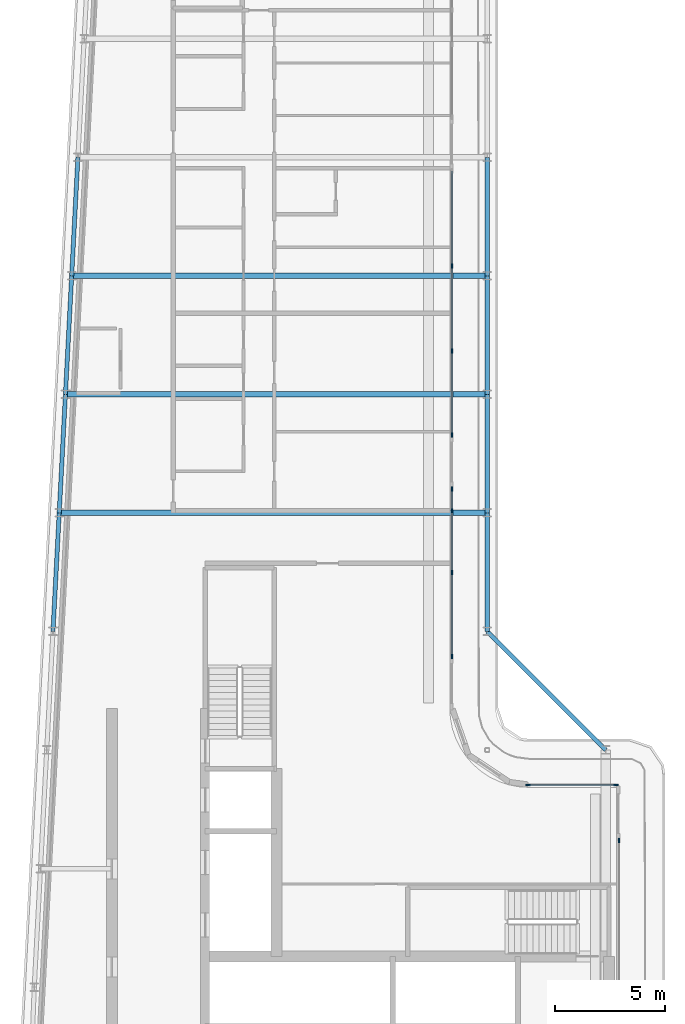
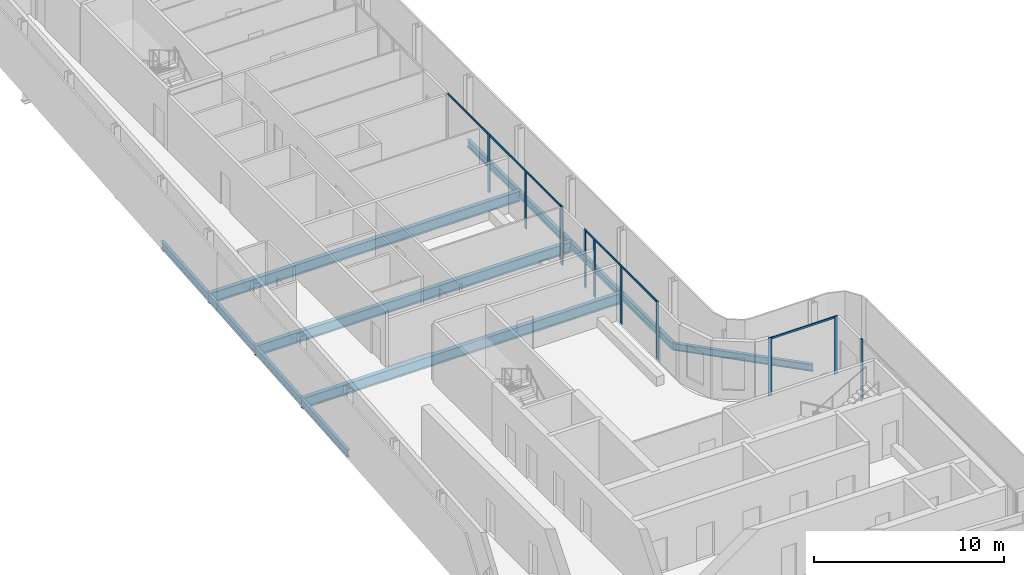
# One storey, part 5 of 18: 14 members, 12 beams, 5 elements without a shape of their own.
"""IFC4 building model written with IfcOpenShell, lengths in metres."""

from ifc_helpers import new_model, si_unit, direction, frame, origin, origin_2d, place, context, subcontext, project, spatial, rectangle, i_section, extrude, material, layer, layer_set, material_profile, profile_set, type_object, element, aggregate, save


model = new_model("IFC4")

# Units and contexts
model_context = context("Model", 3, precision=1e-05, world=origin(), true_north=direction((0.0, 1.0)))
body_context = subcontext(model_context, "Body", "Model", "MODEL_VIEW")
ifc_project = project(units=[si_unit("LENGTHUNIT", "METRE"), si_unit("AREAUNIT", "SQUARE_METRE"), si_unit("VOLUMEUNIT", "CUBIC_METRE"), si_unit("PLANEANGLEUNIT", "RADIAN"), si_unit("MASSUNIT", "GRAM", prefix="KILO")], contexts=[model_context])

# Site, building, storey
site_placement = place(None, origin())
site = spatial("IfcSite", under=ifc_project, at=site_placement, CompositionType="ELEMENT")
building_placement = place(site_placement, origin())
building = spatial("IfcBuilding", under=site, at=building_placement, Name="Kheshtan School and Residences Tower", CompositionType="ELEMENT")
storey_placement = place(building_placement, frame((0.0, 0.0, 365.60009765625)))
storey = spatial("IfcBuildingStorey", under=building, at=storey_placement, Name="L86", CompositionType="ELEMENT", Elevation=365.60009765625)

# Beams
ifc_material_1 = material(Name="Steel ASTM A992 Grade 50", Category="steel")
ifc_material_profile_1 = material_profile(ifc_material_1, i_section(OverallWidth=0.2529296875, OverallDepth=0.677978515625, WebThickness=0.01171875, FlangeThickness=0.016357421875, FilletRadius=0.0146484375, at=origin_2d()), Name="W690x125")
ifc_profile_set_1 = profile_set([ifc_material_profile_1], Name="Steel ASTM A992 Grade 50")
beam_type_1 = type_object("IfcBeamType", Name="Beam FB6 W690x125 ASTM A992 Grade 50", PredefinedType="BEAM", material=ifc_profile_set_1)
beam_1_placement = place(storey_placement, frame((47.60009765625, 67.199951171875, -0.489013671875), z_axis=(-1.0, 0.0, 0.0), x_axis=(0.0, -1.0, 0.0)))
element("IfcBeam", 1, at=beam_1_placement, inside=storey, type_object=beam_type_1, Name="Floor beam C085", PredefinedType="BEAM", context=body_context, shape_type="SweptSolid", body=[
    extrude(i_section(OverallWidth=0.2529296875, OverallDepth=0.677978515625, WebThickness=0.01171875, FlangeThickness=0.016357421875, FilletRadius=0.0146484375, at=origin_2d()), origin(), (0.0, 0.0, 1.0), 18.926025390625),
])
beam_2_placement = place(storey_placement, frame((47.60009765625, 56.39990234375, -0.489013671875), z_axis=(-1.0, 0.0, 0.0), x_axis=(0.0, -1.0, 0.0)))
element("IfcBeam", 2, at=beam_2_placement, inside=storey, type_object=beam_type_1, Name="Floor beam C081", PredefinedType="BEAM", context=body_context, shape_type="SweptSolid", body=[
    extrude(i_section(OverallWidth=0.2529296875, OverallDepth=0.677978515625, WebThickness=0.01171875, FlangeThickness=0.016357421875, FilletRadius=0.0146484375, at=origin_2d()), origin(), (0.0, 0.0, 1.0), 19.494140625),
])
beam_3_placement = place(storey_placement, frame((28.389892578125, 61.800048828125, -0.489013671875), z_axis=(1.0, 0.0, 0.0), x_axis=(0.0, 1.0, 0.0)))
element("IfcBeam", 3, at=beam_3_placement, inside=storey, type_object=beam_type_1, Name="Floor beam C082", PredefinedType="BEAM", context=body_context, shape_type="SweptSolid", body=[
    extrude(i_section(OverallWidth=0.2529296875, OverallDepth=0.677978515625, WebThickness=0.01171875, FlangeThickness=0.016357421875, FilletRadius=0.0146484375, at=origin_2d()), origin(), (0.0, 0.0, 1.0), 19.210205078125),
])
ifc_material_profile_2 = material_profile(ifc_material_1, i_section(OverallWidth=0.18994140625, OverallDepth=0.45703125, WebThickness=0.009033203125, FlangeThickness=0.014404296875, FilletRadius=0.01318359375, at=origin_2d()), Name="W460x74")
ifc_profile_set_2 = profile_set([ifc_material_profile_2], Name="Steel ASTM A992 Grade 50")
beam_type_2 = type_object("IfcBeamType", Name="Beam SP4 W460x74 ASTM A992 Grade 50", PredefinedType="BEAM", material=ifc_profile_set_2)
beam_4_placement = place(storey_placement, frame((47.60009765625, 72.60009765625, -0.378662109375), z_axis=(0.0, -1.0, 0.0), x_axis=(1.0, 0.0, 0.0)))
element("IfcBeam", 4, at=beam_4_placement, inside=storey, type_object=beam_type_2, Name="Spandrel beam C087-C085", PredefinedType="BEAM", context=body_context, shape_type="SweptSolid", body=[
    extrude(i_section(OverallWidth=0.18994140625, OverallDepth=0.45703125, WebThickness=0.009033203125, FlangeThickness=0.014404296875, FilletRadius=0.01318359375, at=origin_2d()), origin(), (0.0, 0.0, 1.0), 5.400146484375),
])
beam_5_placement = place(storey_placement, frame((47.60009765625, 67.199951171875, -0.378662109375), z_axis=(0.0, -1.0, 0.0), x_axis=(1.0, 0.0, 0.0)))
element("IfcBeam", 5, at=beam_5_placement, inside=storey, type_object=beam_type_2, Name="Spandrel beam C085-C083", PredefinedType="BEAM", context=body_context, shape_type="SweptSolid", body=[
    extrude(i_section(OverallWidth=0.18994140625, OverallDepth=0.45703125, WebThickness=0.009033203125, FlangeThickness=0.014404296875, FilletRadius=0.01318359375, at=origin_2d()), origin(), (0.0, 0.0, 1.0), 5.39990234375),
])
beam_6_placement = place(storey_placement, frame((47.60009765625, 61.800048828125, -0.378662109375), z_axis=(0.0, -1.0, 0.0), x_axis=(1.0, 0.0, 0.0)))
element("IfcBeam", 6, at=beam_6_placement, inside=storey, type_object=beam_type_2, Name="Spandrel beam C083-C081", PredefinedType="BEAM", context=body_context, shape_type="SweptSolid", body=[
    extrude(i_section(OverallWidth=0.18994140625, OverallDepth=0.45703125, WebThickness=0.009033203125, FlangeThickness=0.014404296875, FilletRadius=0.01318359375, at=origin_2d()), origin(), (0.0, 0.0, 1.0), 5.400146484375),
])
beam_7_placement = place(storey_placement, frame((47.60009765625, 56.39990234375, -0.378662109375), z_axis=(0.0, -1.0, 0.0), x_axis=(1.0, 0.0, 0.0)))
element("IfcBeam", 7, at=beam_7_placement, inside=storey, type_object=beam_type_2, Name="Spandrel beam C081-C079", PredefinedType="BEAM", context=body_context, shape_type="SweptSolid", body=[
    extrude(i_section(OverallWidth=0.18994140625, OverallDepth=0.45703125, WebThickness=0.009033203125, FlangeThickness=0.014404296875, FilletRadius=0.01318359375, at=origin_2d()), origin(), (0.0, 0.0, 1.0), 5.39990234375),
])
beam_8_placement = place(storey_placement, frame((47.60009765625, 51.0, -0.378662109375), z_axis=(0.707106781187, -0.707106781187, 0.0), x_axis=(0.707106781187, 0.707106781187, 0.0)))
element("IfcBeam", 8, at=beam_8_placement, inside=storey, type_object=beam_type_2, Name="Spandrel beam C079-C061", PredefinedType="BEAM", context=body_context, shape_type="SweptSolid", body=[
    extrude(i_section(OverallWidth=0.18994140625, OverallDepth=0.45703125, WebThickness=0.009033203125, FlangeThickness=0.014404296875, FilletRadius=0.01318359375, at=origin_2d()), origin(), (0.0, 0.0, 1.0), 7.63671875),
])
beam_9_placement = place(storey_placement, frame((27.822021484375, 51.0, -0.378662109375), z_axis=(0.05250906864, 0.998620447272, 0.0), x_axis=(-0.998620447272, 0.05250906864, 0.0)))
element("IfcBeam", 9, at=beam_9_placement, inside=storey, type_object=beam_type_2, Name="Spandrel beam C078-C080", PredefinedType="BEAM", context=body_context, shape_type="SweptSolid", body=[
    extrude(i_section(OverallWidth=0.18994140625, OverallDepth=0.45703125, WebThickness=0.009033203125, FlangeThickness=0.014404296875, FilletRadius=0.01318359375, at=origin_2d()), origin(), (0.0, 0.0, 1.0), 5.407470703125),
])
beam_10_placement = place(storey_placement, frame((28.10595703125, 56.39990234375, -0.378662109375), z_axis=(0.05250670125, 0.998620571751, 0.0), x_axis=(-0.998620571751, 0.05250670125, 0.0)))
element("IfcBeam", 10, at=beam_10_placement, inside=storey, type_object=beam_type_2, Name="Spandrel beam C080-C082", PredefinedType="BEAM", context=body_context, shape_type="SweptSolid", body=[
    extrude(i_section(OverallWidth=0.18994140625, OverallDepth=0.45703125, WebThickness=0.009033203125, FlangeThickness=0.014404296875, FilletRadius=0.01318359375, at=origin_2d()), origin(), (0.0, 0.0, 1.0), 5.40771484375),
])
beam_11_placement = place(storey_placement, frame((28.389892578125, 61.800048828125, -0.378662109375), z_axis=(0.052554093665, 0.998618078766, 0.0), x_axis=(-0.998618078766, 0.052554093665, 0.0)))
element("IfcBeam", 11, at=beam_11_placement, inside=storey, type_object=beam_type_2, Name="Spandrel beam C082-C084", PredefinedType="BEAM", context=body_context, shape_type="SweptSolid", body=[
    extrude(i_section(OverallWidth=0.18994140625, OverallDepth=0.45703125, WebThickness=0.009033203125, FlangeThickness=0.014404296875, FilletRadius=0.01318359375, at=origin_2d()), origin(), (0.0, 0.0, 1.0), 5.407470703125),
])
beam_12_placement = place(storey_placement, frame((28.674072265625, 67.199951171875, -0.378662109375), z_axis=(0.05250670125, 0.998620571751, 0.0), x_axis=(-0.998620571751, 0.05250670125, 0.0)))
element("IfcBeam", 12, at=beam_12_placement, inside=storey, type_object=beam_type_2, Name="Spandrel beam C084-C086", PredefinedType="BEAM", context=body_context, shape_type="SweptSolid", body=[
    extrude(i_section(OverallWidth=0.18994140625, OverallDepth=0.45703125, WebThickness=0.009033203125, FlangeThickness=0.014404296875, FilletRadius=0.01318359375, at=origin_2d()), origin(), (0.0, 0.0, 1.0), 5.40771484375),
])

# Curtain wall, members
ifc_material_2 = material(Name="Clear low-e glass in thermally broken aluminium frame", Category="aluminium")
ifc_layer_1 = layer(ifc_material_2, 0.199951171875)
ifc_layer_set_1 = layer_set([ifc_layer_1], Name="Curtain wall CW-B")
curtain_wall_type_1 = type_object("IfcCurtainWallType", Name="Curtain wall CW-B", PredefinedType="NOTDEFINED", material=ifc_layer_set_1)
curtain_wall_1_placement = place(storey_placement, origin())
curtain_wall_1 = element("IfcCurtainWall", 13, at=curtain_wall_1_placement, inside=storey, type_object=curtain_wall_type_1, Name="Curtain wall CWB12", PredefinedType="NOTDEFINED")
ifc_material_3 = material(Name="Thermally broken aluminium, dark bronze anodised", Category="aluminium")
ifc_material_profile_3 = material_profile(ifc_material_3, rectangle(XDim=0.06005859375, YDim=0.199951171875, at=origin_2d()), Name="CW-B mullion 60x200")
ifc_profile_set_3 = profile_set([ifc_material_profile_3], Name="Thermally broken aluminium, dark bronze anodised")
member_type_1 = type_object("IfcMemberType", Name="CW-B mullion 60x200", PredefinedType="MULLION", material=ifc_profile_set_3)
member_1_placement = place(storey_placement, frame((49.4599609375, 44.0, 0.0), z_axis=(0.0, 0.0, 1.0), x_axis=(0.0, 1.0, 0.0)))
member_1 = element("IfcMember", 14, at=member_1_placement, type_object=member_type_1, Name="CWB12 mullion 1", PredefinedType="MULLION", context=body_context, shape_type="SweptSolid", body=[
    extrude(rectangle(XDim=0.06005859375, YDim=0.199951171875, at=origin_2d()), origin(), (0.0, 0.0, 1.0), 3.75),
])
member_2_placement = place(storey_placement, frame((53.469970703125, 44.0, 0.0), z_axis=(0.0, 0.0, 1.0), x_axis=(0.0, 1.0, 0.0)))
member_2 = element("IfcMember", 15, at=member_2_placement, type_object=member_type_1, Name="CWB12 mullion 2", PredefinedType="MULLION", context=body_context, shape_type="SweptSolid", body=[
    extrude(rectangle(XDim=0.06005859375, YDim=0.199951171875, at=origin_2d()), origin(), (0.0, 0.0, 1.0), 3.75),
])
ifc_material_profile_4 = material_profile(ifc_material_3, rectangle(XDim=0.06005859375, YDim=0.1201171875, at=origin_2d()), Name="CW-B transom 60x120")
ifc_profile_set_4 = profile_set([ifc_material_profile_4], Name="Thermally broken aluminium, dark bronze anodised")
member_type_2 = type_object("IfcMemberType", Name="CW-B transom 60x120", PredefinedType="USERDEFINED", material=ifc_profile_set_4)
member_3_placement = place(storey_placement, frame((49.489990234375, 44.0, 3.68994140625), z_axis=(1.0, 0.0, 0.0), x_axis=(0.0, 1.0, 0.0)))
member_3 = element("IfcMember", 16, at=member_3_placement, type_object=member_type_2, Name="CWB12 transom 1", ObjectType="TRANSOM", PredefinedType="USERDEFINED", context=body_context, shape_type="SweptSolid", body=[
    extrude(rectangle(XDim=0.06005859375, YDim=0.1201171875, at=origin_2d()), origin(), (0.0, 0.0, 1.0), 3.949951171875),
])
aggregate(curtain_wall_1, [member_1, member_2, member_3])

# Curtain wall, member
ifc_layer_2 = layer(ifc_material_2, 0.199951171875)
ifc_layer_set_2 = layer_set([ifc_layer_2], Name="Curtain wall CW-L")
curtain_wall_type_2 = type_object("IfcCurtainWallType", Name="Curtain wall CW-L", PredefinedType="NOTDEFINED", material=ifc_layer_set_2)
curtain_wall_2_placement = place(storey_placement, origin())
curtain_wall_2 = element("IfcCurtainWall", 17, at=curtain_wall_2_placement, inside=storey, type_object=curtain_wall_type_2, Name="Curtain wall CWL8r", PredefinedType="NOTDEFINED")
ifc_material_profile_5 = material_profile(ifc_material_3, rectangle(XDim=0.06005859375, YDim=0.199951171875, at=origin_2d()), Name="CW-L mullion 60x200")
ifc_profile_set_5 = profile_set([ifc_material_profile_5], Name="Thermally broken aluminium, dark bronze anodised")
member_type_3 = type_object("IfcMemberType", Name="CW-L mullion 60x200", PredefinedType="MULLION", material=ifc_profile_set_5)
member_4_placement = place(storey_placement, frame((46.0, 67.64794921875, 0.0), z_axis=(0.0, 0.0, 1.0), x_axis=(1.0, 0.0, 0.0)))
member_4 = element("IfcMember", 18, at=member_4_placement, type_object=member_type_3, Name="CWL8r mullion 2", PredefinedType="MULLION", context=body_context, shape_type="SweptSolid", body=[
    extrude(rectangle(XDim=0.06005859375, YDim=0.199951171875, at=origin_2d()), origin(), (0.0, 0.0, 1.0), 3.75),
])

# Curtain wall, members
curtain_wall_3_placement = place(storey_placement, origin())
curtain_wall_3 = element("IfcCurtainWall", 19, at=curtain_wall_3_placement, inside=storey, type_object=curtain_wall_type_2, Name="Curtain wall CWL8", PredefinedType="NOTDEFINED")
member_5_placement = place(storey_placement, frame((46.0, 63.77099609375, 0.0), z_axis=(0.0, 0.0, 1.0), x_axis=(1.0, 0.0, 0.0)))
member_5 = element("IfcMember", 20, at=member_5_placement, type_object=member_type_3, Name="CWL8 mullion 2", PredefinedType="MULLION", context=body_context, shape_type="SweptSolid", body=[
    extrude(rectangle(XDim=0.06005859375, YDim=0.199951171875, at=origin_2d()), origin(), (0.0, 0.0, 1.0), 3.6298828125),
])
member_6_placement = place(storey_placement, frame((46.0, 59.9541015625, 0.0), z_axis=(0.0, 0.0, 1.0), x_axis=(1.0, 0.0, 0.0)))
member_6 = element("IfcMember", 21, at=member_6_placement, type_object=member_type_3, Name="CWL8 mullion 3", PredefinedType="MULLION", context=body_context, shape_type="SweptSolid", body=[
    extrude(rectangle(XDim=0.06005859375, YDim=0.199951171875, at=origin_2d()), origin(), (0.0, 0.0, 1.0), 3.75),
])

curtain_wall_4_placement = place(storey_placement, origin())
curtain_wall_4 = element("IfcCurtainWall", 22, at=curtain_wall_4_placement, inside=storey, type_object=curtain_wall_type_2, Name="Curtain wall CWL8c", PredefinedType="NOTDEFINED")
member_7_placement = place(storey_placement, frame((46.0, 57.493896484375, 0.0), z_axis=(0.0, 0.0, 1.0), x_axis=(1.0, 0.0, 0.0)))
member_7 = element("IfcMember", 23, at=member_7_placement, type_object=member_type_3, Name="CWL8c mullion 1", PredefinedType="MULLION", context=body_context, shape_type="SweptSolid", body=[
    extrude(rectangle(XDim=0.06005859375, YDim=0.199951171875, at=origin_2d()), origin(), (0.0, 0.0, 1.0), 3.75),
])
member_8_placement = place(storey_placement, frame((46.0, 56.5, 0.0), z_axis=(0.0, 0.0, 1.0), x_axis=(1.0, 0.0, 0.0)))
member_8 = element("IfcMember", 24, at=member_8_placement, type_object=member_type_3, Name="CWL8c mullion 2", PredefinedType="MULLION", context=body_context, shape_type="SweptSolid", body=[
    extrude(rectangle(XDim=0.06005859375, YDim=0.199951171875, at=origin_2d()), origin(), (0.0, 0.0, 1.0), 3.6298828125),
])
member_9_placement = place(storey_placement, frame((46.0, 53.677001953125, 0.0), z_axis=(0.0, 0.0, 1.0), x_axis=(1.0, 0.0, 0.0)))
member_9 = element("IfcMember", 25, at=member_9_placement, type_object=member_type_3, Name="CWL8c mullion 3", PredefinedType="MULLION", context=body_context, shape_type="SweptSolid", body=[
    extrude(rectangle(XDim=0.06005859375, YDim=0.199951171875, at=origin_2d()), origin(), (0.0, 0.0, 1.0), 3.6298828125),
])
member_10_placement = place(storey_placement, frame((46.0, 49.860107421875, 0.0), z_axis=(0.0, 0.0, 1.0), x_axis=(1.0, 0.0, 0.0)))
member_10 = element("IfcMember", 26, at=member_10_placement, type_object=member_type_3, Name="CWL8c mullion 4", PredefinedType="MULLION", context=body_context, shape_type="SweptSolid", body=[
    extrude(rectangle(XDim=0.06005859375, YDim=0.199951171875, at=origin_2d()), origin(), (0.0, 0.0, 1.0), 3.75),
])

# Curtain wall, member
curtain_wall_5_placement = place(storey_placement, origin())
curtain_wall_5 = element("IfcCurtainWall", 27, at=curtain_wall_5_placement, inside=storey, type_object=curtain_wall_type_2, Name="Curtain wall CWL13h", PredefinedType="NOTDEFINED")
member_11_placement = place(storey_placement, frame((53.60009765625, 41.469970703125, 0.0), z_axis=(0.0, 0.0, 1.0), x_axis=(1.0, 0.0, 0.0)))
member_11 = element("IfcMember", 28, at=member_11_placement, type_object=member_type_3, Name="CWL13h mullion 1", PredefinedType="MULLION", context=body_context, shape_type="SweptSolid", body=[
    extrude(rectangle(XDim=0.06005859375, YDim=0.199951171875, at=origin_2d()), origin(), (0.0, 0.0, 1.0), 3.75),
])
aggregate(curtain_wall_5, [member_11])

# Member
ifc_material_profile_6 = material_profile(ifc_material_3, rectangle(XDim=0.06005859375, YDim=0.1201171875, at=origin_2d()), Name="CW-L transom 60x120")
ifc_profile_set_6 = profile_set([ifc_material_profile_6], Name="Thermally broken aluminium, dark bronze anodised")
member_type_4 = type_object("IfcMemberType", Name="CW-L transom 60x120", PredefinedType="USERDEFINED", material=ifc_profile_set_6)
member_12_placement = place(storey_placement, frame((46.0, 71.951904296875, 3.68994140625), z_axis=(0.0, -1.0, 0.0), x_axis=(1.0, 0.0, 0.0)))
member_12 = element("IfcMember", 29, at=member_12_placement, type_object=member_type_4, Name="CWL8r transom 1", ObjectType="TRANSOM", PredefinedType="USERDEFINED", context=body_context, shape_type="SweptSolid", body=[
    extrude(rectangle(XDim=0.06005859375, YDim=0.1201171875, at=origin_2d()), origin(), (0.0, 0.0, 1.0), 4.27392578125),
])

aggregate(curtain_wall_2, [member_4, member_12])

member_13_placement = place(storey_placement, frame((46.0, 67.617919921875, 3.68994140625), z_axis=(0.0, -1.0, 0.0), x_axis=(1.0, 0.0, 0.0)))
member_13 = element("IfcMember", 30, at=member_13_placement, type_object=member_type_4, Name="CWL8 transom 1", ObjectType="TRANSOM", PredefinedType="USERDEFINED", context=body_context, shape_type="SweptSolid", body=[
    extrude(rectangle(XDim=0.06005859375, YDim=0.1201171875, at=origin_2d()), origin(), (0.0, 0.0, 1.0), 7.634033203125),
])

aggregate(curtain_wall_3, [member_5, member_6, member_13])

member_14_placement = place(storey_placement, frame((46.0, 57.464111328125, 3.68994140625), z_axis=(0.0, -1.0, 0.0), x_axis=(1.0, 0.0, 0.0)))
member_14 = element("IfcMember", 31, at=member_14_placement, type_object=member_type_4, Name="CWL8c transom 1", ObjectType="TRANSOM", PredefinedType="USERDEFINED", context=body_context, shape_type="SweptSolid", body=[
    extrude(rectangle(XDim=0.06005859375, YDim=0.1201171875, at=origin_2d()), origin(), (0.0, 0.0, 1.0), 7.57421875),
])

aggregate(curtain_wall_4, [member_7, member_8, member_9, member_10, member_14])

save(model, "model.ifc")
